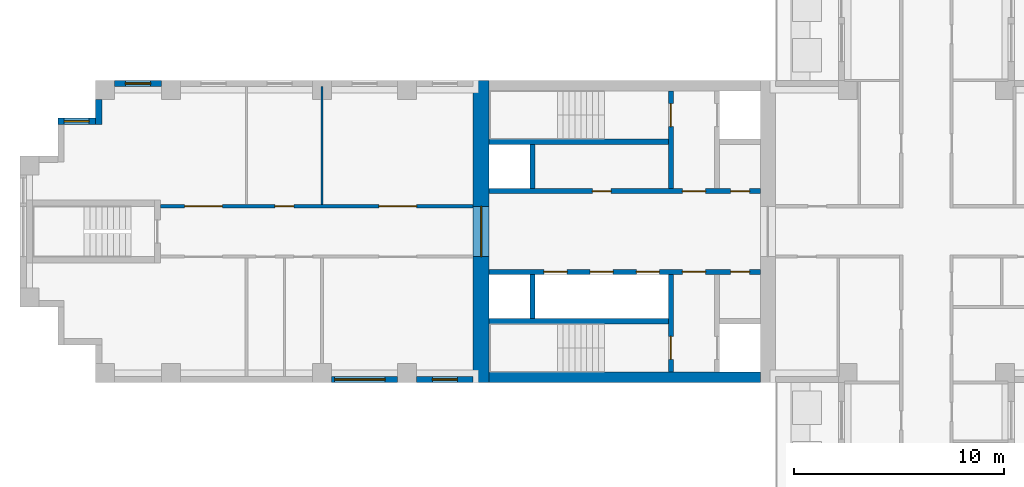
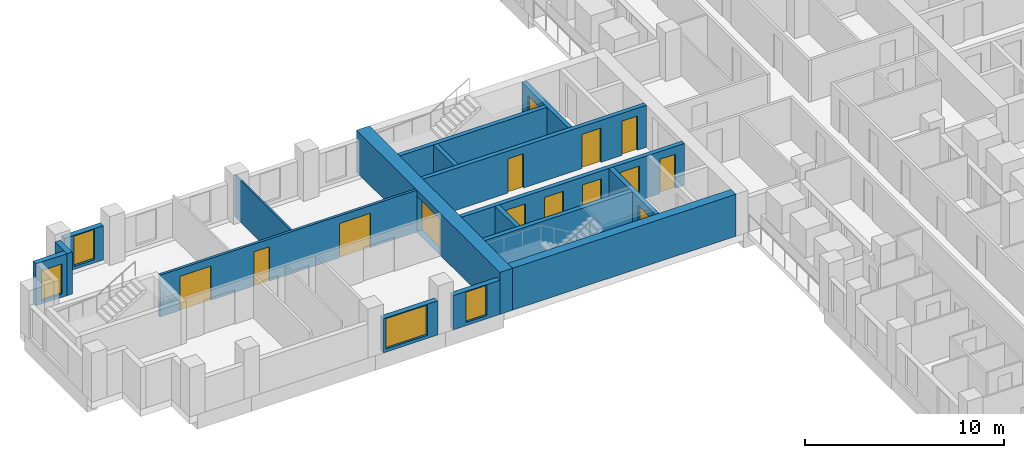
# One storey, part 6 of 15: 17 walls, 14 doors, 4 windows, 18 openings.
"""IFC4 building model written with IfcOpenShell, lengths in metres."""

from ifc_helpers import new_model, si_unit, direction, frame, frame_2d, origin, place, context, subcontext, project, spatial, rectangle, extrude, material, layer, layer_set, type_object, element, fill, save


model = new_model("IFC4")

# Units and contexts
model_context = context("Model", 3, precision=1e-05, world=origin(), true_north=direction((0.0, 1.0)))
body_context = subcontext(model_context, "Body", "Model", "MODEL_VIEW")
ifc_project = project(units=[si_unit("LENGTHUNIT", "METRE"), si_unit("AREAUNIT", "SQUARE_METRE"), si_unit("VOLUMEUNIT", "CUBIC_METRE"), si_unit("PLANEANGLEUNIT", "RADIAN"), si_unit("MASSUNIT", "GRAM", prefix="KILO")], contexts=[model_context])

# Site, building, storey
site_placement = place(None, origin())
site = spatial("IfcSite", under=ifc_project, at=site_placement, CompositionType="ELEMENT")
building_placement = place(site_placement, origin())
building = spatial("IfcBuilding", under=site, at=building_placement, Name="Fustian Cross Tower", CompositionType="ELEMENT")
storey_placement = place(building_placement, frame((0.0, 0.0, 14.699951171875)))
storey = spatial("IfcBuildingStorey", under=building, at=storey_placement, Name="L03", CompositionType="ELEMENT", Elevation=14.699951171875)

# Wall, openings, doors
ifc_material_1 = material(Name="Plasterboard on steel stud", Category="steel")
ifc_layer_1 = layer(ifc_material_1, 0.14990234375)
ifc_layer_set_1 = layer_set([ifc_layer_1], Name="Plasterboard on steel stud")
wall_type_1 = type_object("IfcWallType", Name="COMPARTMENT WALL 150 EI 60", PredefinedType="PARTITIONING", material=ifc_layer_set_1)
wall_1_placement = place(storey_placement, frame((-36.5, 1.199951171875, 0.0), z_axis=(0.0, 0.0, 1.0), x_axis=(1.0, 0.0, 0.0)))
wall_1 = element("IfcWall", 1, at=wall_1_placement, inside=storey, type_object=wall_type_1, Name="Partition 2", PredefinedType="PARTITIONING", context=body_context, shape_type="SweptSolid", body=[
    extrude(rectangle(XDim=14.89990234375, YDim=0.14990234375, at=frame_2d((7.449951171875, 0.0))), origin(), (0.0, 0.0, 1.0), 2.574951171875),
])
opening_1_placement = place(wall_1_placement, frame((10.39990234375, 0.0, 0.0)))
opening_1 = element("IfcOpeningElement", 2, at=opening_1_placement, cuts=wall_1, Name="Opening D04052", PredefinedType="OPENING", context=body_context, shape_type="SweptSolid", body=[
    extrude(rectangle(XDim=1.800048828125, YDim=2.10009765625, at=frame_2d((0.89990234375, 1.050048828125))), frame((0.0, 0.0849609375, 0.0), z_axis=(0.0, -1.0, 0.0), x_axis=(1.0, 0.0, 0.0)), (0.0, 0.0, 1.0), 0.169921875),
])
opening_2_placement = place(wall_1_placement, frame((5.449951171875, 0.0, 0.0)))
opening_2 = element("IfcOpeningElement", 3, at=opening_2_placement, cuts=wall_1, Name="Opening D04053", PredefinedType="OPENING", context=body_context, shape_type="SweptSolid", body=[
    extrude(rectangle(XDim=0.89990234375, YDim=2.10009765625, at=frame_2d((0.449951171875, 1.050048828125))), frame((0.0, 0.0849609375, 0.0), z_axis=(0.0, -1.0, 0.0), x_axis=(1.0, 0.0, 0.0)), (0.0, 0.0, 1.0), 0.169921875),
])
opening_3_placement = place(wall_1_placement, frame((1.14990234375, 0.0, 0.0)))
opening_3 = element("IfcOpeningElement", 4, at=opening_3_placement, cuts=wall_1, Name="Opening D04054", PredefinedType="OPENING", context=body_context, shape_type="SweptSolid", body=[
    extrude(rectangle(XDim=1.800048828125, YDim=2.10009765625, at=frame_2d((0.89990234375, 1.050048828125))), frame((0.0, 0.0849609375, 0.0), z_axis=(0.0, -1.0, 0.0), x_axis=(1.0, 0.0, 0.0)), (0.0, 0.0, 1.0), 0.169921875),
])
ifc_material_2 = material(Name="Timber fire door set", Category="wood")
door_type_1 = type_object("IfcDoorType", Name="FIRE DOUBLE DOOR 1800 FD30S", OperationType="DOUBLE_DOOR_DOUBLE_SWING", PredefinedType="DOOR", material=ifc_material_2)
door_1_placement = place(opening_1_placement, frame((1.800048828125, 0.0, 0.0), z_axis=(0.0, 0.0, 1.0), x_axis=(-1.0, 0.0, 0.0)))
door_1 = element("IfcDoor", 5, at=door_1_placement, inside=storey, type_object=door_type_1, Name="Door D04052", OperationType="DOUBLE_DOOR_DOUBLE_SWING", OverallHeight=2.10009765625, OverallWidth=1.800048828125, PredefinedType="DOOR", context=body_context, shape_type="SweptSolid", body=[
    extrude(rectangle(XDim=1.800048828125, YDim=2.10009765625, at=frame_2d((0.89990234375, 1.050048828125))), frame((0.0, 0.02490234375, 0.0), z_axis=(0.0, -1.0, 0.0), x_axis=(1.0, 0.0, 0.0)), (0.0, 0.0, 1.0), 0.050048828125),
])
fill(opening_1, door_1)
door_2_placement = place(opening_3_placement, frame((1.800048828125, 0.0, 0.0), z_axis=(0.0, 0.0, 1.0), x_axis=(-1.0, 0.0, 0.0)))
door_2 = element("IfcDoor", 6, at=door_2_placement, inside=storey, type_object=door_type_1, Name="Door D04054", OperationType="DOUBLE_DOOR_DOUBLE_SWING", OverallHeight=2.10009765625, OverallWidth=1.800048828125, PredefinedType="DOOR", context=body_context, shape_type="SweptSolid", body=[
    extrude(rectangle(XDim=1.800048828125, YDim=2.10009765625, at=frame_2d((0.89990234375, 1.050048828125))), frame((0.0, 0.02490234375, 0.0), z_axis=(0.0, -1.0, 0.0), x_axis=(1.0, 0.0, 0.0)), (0.0, 0.0, 1.0), 0.050048828125),
])
fill(opening_3, door_2)
ifc_material_3 = material(Name="Timber fire door set", Category="wood")
door_type_2 = type_object("IfcDoorType", Name="FIRE SWING DOOR 900 FD30S", OperationType="SINGLE_SWING_LEFT", PredefinedType="DOOR", material=ifc_material_3)
door_3_placement = place(opening_2_placement, origin())
door_3 = element("IfcDoor", 7, at=door_3_placement, inside=storey, type_object=door_type_2, Name="Door D04053", OperationType="SINGLE_SWING_LEFT", OverallHeight=2.10009765625, OverallWidth=0.89990234375, PredefinedType="DOOR", context=body_context, shape_type="SweptSolid", body=[
    extrude(rectangle(XDim=0.89990234375, YDim=2.10009765625, at=frame_2d((0.449951171875, 1.050048828125))), frame((0.0, 0.02490234375, 0.0), z_axis=(0.0, -1.0, 0.0), x_axis=(1.0, 0.0, 0.0)), (0.0, 0.0, 1.0), 0.050048828125),
])
fill(opening_2, door_3)

# Wall, opening, door
ifc_material_4 = material(Name="Concrete C80/95", Category="concrete")
ifc_layer_2 = layer(ifc_material_4, 0.75)
ifc_layer_set_2 = layer_set([ifc_layer_2], Name="Concrete C80/95")
wall_type_2 = type_object("IfcWallType", Name="CORE END WALL 750 C80/95", PredefinedType="SHEAR", material=ifc_layer_set_2)
wall_2_placement = place(storey_placement, frame((-21.22509765625, -7.199951171875, 0.0), z_axis=(0.0, 0.0, 1.0), x_axis=(0.0, 1.0, 0.0)))
wall_2 = element("IfcWall", 8, at=wall_2_placement, inside=storey, type_object=wall_type_2, Name="Core end wall", PredefinedType="SHEAR", context=body_context, shape_type="SweptSolid", body=[
    extrude(rectangle(XDim=14.39990234375, YDim=0.75, at=frame_2d((7.199951171875, 0.0))), origin(), (0.0, 0.0, 1.0), 2.574951171875),
])
opening_4_placement = place(wall_2_placement, frame((6.0, 0.0, 0.0)))
opening_4 = element("IfcOpeningElement", 9, at=opening_4_placement, cuts=wall_2, Name="Opening CD-04-27", PredefinedType="OPENING", context=body_context, shape_type="SweptSolid", body=[
    extrude(rectangle(XDim=2.39990234375, YDim=2.199951171875, at=frame_2d((1.199951171875, 1.10009765625))), frame((0.0, 0.385009765625, 0.0), z_axis=(0.0, -1.0, 0.0), x_axis=(1.0, 0.0, 0.0)), (0.0, 0.0, 1.0), 0.77001953125),
])
ifc_material_5 = material(Name="Steel", Category="steel")
door_type_3 = type_object("IfcDoorType", Name="FIRE DOOR FD30S DOUBLE 2400X2200", OperationType="DOUBLE_DOOR_DOUBLE_SWING", PredefinedType="DOOR", material=ifc_material_5)
door_4_placement = place(opening_4_placement, frame((2.39990234375, 0.0, 0.0), z_axis=(0.0, 0.0, 1.0), x_axis=(-1.0, 0.0, 0.0)))
door_4 = element("IfcDoor", 10, at=door_4_placement, inside=storey, type_object=door_type_3, Name="Core door CD-04-27", OperationType="DOUBLE_DOOR_DOUBLE_SWING", OverallHeight=2.199951171875, OverallWidth=2.39990234375, PredefinedType="DOOR", context=body_context, shape_type="SweptSolid", body=[
    extrude(rectangle(XDim=2.39990234375, YDim=2.199951171875, at=frame_2d((1.199951171875, 1.10009765625))), frame((0.0, 0.02490234375, 0.0), z_axis=(0.0, -1.0, 0.0), x_axis=(1.0, 0.0, 0.0)), (0.0, 0.0, 1.0), 0.050048828125),
])
fill(opening_4, door_4)

# Wall
ifc_material_6 = material(Name="Concrete C80/95", Category="concrete")
ifc_layer_3 = layer(ifc_material_6, 0.5)
ifc_layer_set_3 = layer_set([ifc_layer_3], Name="Concrete C80/95")
wall_type_3 = type_object("IfcWallType", Name="CORE FACADE WALL 500 C80/95", PredefinedType="SHEAR", material=ifc_layer_set_3)
wall_3_placement = place(storey_placement, frame((-7.89990234375, -6.949951171875, 0.0), z_axis=(0.0, 0.0, 1.0), x_axis=(-1.0, 0.0, 0.0)))
element("IfcWall", 11, at=wall_3_placement, inside=storey, type_object=wall_type_3, Name="Core facade wall", PredefinedType="SHEAR", context=body_context, shape_type="SweptSolid", body=[
    extrude(rectangle(XDim=12.9501953125, YDim=0.5, at=frame_2d((6.47509765625, 0.0))), origin(), (0.0, 0.0, 1.0), 2.574951171875),
])

# Wall, openings, doors
ifc_material_7 = material(Name="Concrete C50/60", Category="concrete")
ifc_layer_4 = layer(ifc_material_7, 0.25)
ifc_layer_set_4 = layer_set([ifc_layer_4], Name="Concrete C50/60")
wall_type_4 = type_object("IfcWallType", Name="CORE LOBBY WALL 250 C50/60", PredefinedType="SHEAR", material=ifc_layer_set_4)
wall_4_placement = place(storey_placement, frame((-7.89990234375, 1.925048828125, 0.0), z_axis=(0.0, 0.0, 1.0), x_axis=(-1.0, 0.0, 0.0)))
wall_4 = element("IfcWall", 12, at=wall_4_placement, inside=storey, type_object=wall_type_4, Name="Core lobby wall", PredefinedType="SHEAR", context=body_context, shape_type="SweptSolid", body=[
    extrude(rectangle(XDim=12.9501953125, YDim=0.25, at=frame_2d((6.47509765625, 0.0))), origin(), (0.0, 0.0, 1.0), 2.574951171875),
])
opening_5_placement = place(wall_4_placement, frame((0.52490234375, 0.0, 0.0)))
opening_5 = element("IfcOpeningElement", 13, at=opening_5_placement, cuts=wall_4, Name="Opening CD-04-22", PredefinedType="OPENING", context=body_context, shape_type="SweptSolid", body=[
    extrude(rectangle(XDim=0.89990234375, YDim=2.10009765625, at=frame_2d((0.449951171875, 1.050048828125))), frame((0.0, 0.135009765625, 0.0), z_axis=(0.0, -1.0, 0.0), x_axis=(1.0, 0.0, 0.0)), (0.0, 0.0, 1.0), 0.27001953125),
])
opening_6_placement = place(wall_4_placement, frame((2.625, 0.0, 0.0)))
opening_6 = element("IfcOpeningElement", 14, at=opening_6_placement, cuts=wall_4, Name="Opening CD-04-24", PredefinedType="OPENING", context=body_context, shape_type="SweptSolid", body=[
    extrude(rectangle(XDim=1.10009765625, YDim=2.10009765625, at=frame_2d((0.550048828125, 1.050048828125))), frame((0.0, 0.135009765625, 0.0), z_axis=(0.0, -1.0, 0.0), x_axis=(1.0, 0.0, 0.0)), (0.0, 0.0, 1.0), 0.27001953125),
])
opening_7_placement = place(wall_4_placement, frame((7.125, 0.0, 0.0)))
opening_7 = element("IfcOpeningElement", 15, at=opening_7_placement, cuts=wall_4, Name="Opening CD-04-28", PredefinedType="OPENING", context=body_context, shape_type="SweptSolid", body=[
    extrude(rectangle(XDim=0.89990234375, YDim=2.10009765625, at=frame_2d((0.449951171875, 1.050048828125))), frame((0.0, 0.135009765625, 0.0), z_axis=(0.0, -1.0, 0.0), x_axis=(1.0, 0.0, 0.0)), (0.0, 0.0, 1.0), 0.27001953125),
])
ifc_material_8 = material(Name="Steel", Category="steel")
door_type_4 = type_object("IfcDoorType", Name="FIRE DOOR FD30S 900X2100", OperationType="SINGLE_SWING_LEFT", PredefinedType="DOOR", material=ifc_material_8)
door_5_placement = place(opening_7_placement, frame((0.89990234375, 0.0, 0.0), z_axis=(0.0, 0.0, 1.0), x_axis=(-1.0, 0.0, 0.0)))
door_5 = element("IfcDoor", 16, at=door_5_placement, inside=storey, type_object=door_type_4, Name="Core door CD-04-28", OperationType="SINGLE_SWING_RIGHT", OverallHeight=2.10009765625, OverallWidth=0.89990234375, PredefinedType="DOOR", context=body_context, shape_type="SweptSolid", body=[
    extrude(rectangle(XDim=0.89990234375, YDim=2.10009765625, at=frame_2d((0.449951171875, 1.050048828125))), frame((0.0, 0.02490234375, 0.0), z_axis=(0.0, -1.0, 0.0), x_axis=(1.0, 0.0, 0.0)), (0.0, 0.0, 1.0), 0.050048828125),
])
fill(opening_7, door_5)
ifc_material_9 = material(Name="Steel", Category="steel")
door_type_5 = type_object("IfcDoorType", Name="FIRE DOOR FD60S 1100X2100", OperationType="SINGLE_SWING_LEFT", PredefinedType="DOOR", material=ifc_material_9)
door_6_placement = place(opening_6_placement, frame((1.10009765625, 0.0, 0.0), z_axis=(0.0, 0.0, 1.0), x_axis=(-1.0, 0.0, 0.0)))
door_6 = element("IfcDoor", 17, at=door_6_placement, inside=storey, type_object=door_type_5, Name="Core door CD-04-24", OperationType="SINGLE_SWING_RIGHT", OverallHeight=2.10009765625, OverallWidth=1.10009765625, PredefinedType="DOOR", context=body_context, shape_type="SweptSolid", body=[
    extrude(rectangle(XDim=1.10009765625, YDim=2.10009765625, at=frame_2d((0.550048828125, 1.050048828125))), frame((0.0, 0.02490234375, 0.0), z_axis=(0.0, -1.0, 0.0), x_axis=(1.0, 0.0, 0.0)), (0.0, 0.0, 1.0), 0.050048828125),
])
fill(opening_6, door_6)
ifc_material_10 = material(Name="Steel", Category="steel")
door_type_6 = type_object("IfcDoorType", Name="FIRE DOOR FD60S 900X2100", OperationType="SINGLE_SWING_LEFT", PredefinedType="DOOR", material=ifc_material_10)
door_7_placement = place(opening_5_placement, frame((0.89990234375, 0.0, 0.0), z_axis=(0.0, 0.0, 1.0), x_axis=(-1.0, 0.0, 0.0)))
door_7 = element("IfcDoor", 18, at=door_7_placement, inside=storey, type_object=door_type_6, Name="Core door CD-04-22", OperationType="SINGLE_SWING_RIGHT", OverallHeight=2.10009765625, OverallWidth=0.89990234375, PredefinedType="DOOR", context=body_context, shape_type="SweptSolid", body=[
    extrude(rectangle(XDim=0.89990234375, YDim=2.10009765625, at=frame_2d((0.449951171875, 1.050048828125))), frame((0.0, 0.02490234375, 0.0), z_axis=(0.0, -1.0, 0.0), x_axis=(1.0, 0.0, 0.0)), (0.0, 0.0, 1.0), 0.050048828125),
])
fill(opening_5, door_7)

wall_5_placement = place(storey_placement, frame((-7.89990234375, -1.925048828125, 0.0), z_axis=(0.0, 0.0, 1.0), x_axis=(-1.0, 0.0, 0.0)))
wall_5 = element("IfcWall", 19, at=wall_5_placement, inside=storey, type_object=wall_type_4, Name="Core lobby wall", PredefinedType="SHEAR", context=body_context, shape_type="SweptSolid", body=[
    extrude(rectangle(XDim=12.9501953125, YDim=0.25, at=frame_2d((6.47509765625, 0.0))), origin(), (0.0, 0.0, 1.0), 2.574951171875),
])
opening_8_placement = place(wall_5_placement, frame((4.824951171875, 0.0, 0.0)))
opening_8 = element("IfcOpeningElement", 20, at=opening_8_placement, cuts=wall_5, Name="Opening LD", PredefinedType="OPENING", context=body_context, shape_type="SweptSolid", body=[
    extrude(rectangle(XDim=1.10009765625, YDim=2.10009765625, at=frame_2d((0.550048828125, 1.050048828125))), frame((0.0, 0.135009765625, 0.0), z_axis=(0.0, -1.0, 0.0), x_axis=(1.0, 0.0, 0.0)), (0.0, 0.0, 1.0), 0.27001953125),
])
opening_9_placement = place(wall_5_placement, frame((7.02490234375, 0.0, 0.0)))
opening_9 = element("IfcOpeningElement", 21, at=opening_9_placement, cuts=wall_5, Name="Opening LD", PredefinedType="OPENING", context=body_context, shape_type="SweptSolid", body=[
    extrude(rectangle(XDim=1.10009765625, YDim=2.10009765625, at=frame_2d((0.550048828125, 1.050048828125))), frame((0.0, 0.135009765625, 0.0), z_axis=(0.0, -1.0, 0.0), x_axis=(1.0, 0.0, 0.0)), (0.0, 0.0, 1.0), 0.27001953125),
])
opening_10_placement = place(wall_5_placement, frame((9.22509765625, 0.0, 0.0)))
opening_10 = element("IfcOpeningElement", 22, at=opening_10_placement, cuts=wall_5, Name="Opening LD", PredefinedType="OPENING", context=body_context, shape_type="SweptSolid", body=[
    extrude(rectangle(XDim=1.10009765625, YDim=2.10009765625, at=frame_2d((0.550048828125, 1.050048828125))), frame((0.0, 0.135009765625, 0.0), z_axis=(0.0, -1.0, 0.0), x_axis=(1.0, 0.0, 0.0)), (0.0, 0.0, 1.0), 0.27001953125),
])
opening_11_placement = place(wall_5_placement, frame((0.52490234375, 0.0, 0.0)))
opening_11 = element("IfcOpeningElement", 23, at=opening_11_placement, cuts=wall_5, Name="Opening CD-04-23", PredefinedType="OPENING", context=body_context, shape_type="SweptSolid", body=[
    extrude(rectangle(XDim=0.89990234375, YDim=2.10009765625, at=frame_2d((0.449951171875, 1.050048828125))), frame((0.0, 0.135009765625, 0.0), z_axis=(0.0, -1.0, 0.0), x_axis=(1.0, 0.0, 0.0)), (0.0, 0.0, 1.0), 0.27001953125),
])
opening_12_placement = place(wall_5_placement, frame((2.625, 0.0, 0.0)))
opening_12 = element("IfcOpeningElement", 24, at=opening_12_placement, cuts=wall_5, Name="Opening CD-04-25", PredefinedType="OPENING", context=body_context, shape_type="SweptSolid", body=[
    extrude(rectangle(XDim=1.10009765625, YDim=2.10009765625, at=frame_2d((0.550048828125, 1.050048828125))), frame((0.0, 0.135009765625, 0.0), z_axis=(0.0, -1.0, 0.0), x_axis=(1.0, 0.0, 0.0)), (0.0, 0.0, 1.0), 0.27001953125),
])
ifc_material_11 = material(Name="Steel", Category="steel")
door_type_7 = type_object("IfcDoorType", Name="FIRE DOOR FD30S 1100X2100", OperationType="SINGLE_SWING_LEFT", PredefinedType="DOOR", material=ifc_material_11)
door_8_placement = place(opening_12_placement, frame((1.10009765625, 0.0, 0.0), z_axis=(0.0, 0.0, 1.0), x_axis=(-1.0, 0.0, 0.0)))
door_8 = element("IfcDoor", 25, at=door_8_placement, inside=storey, type_object=door_type_7, Name="Core door CD-04-25", OperationType="SINGLE_SWING_RIGHT", OverallHeight=2.10009765625, OverallWidth=1.10009765625, PredefinedType="DOOR", context=body_context, shape_type="SweptSolid", body=[
    extrude(rectangle(XDim=1.10009765625, YDim=2.10009765625, at=frame_2d((0.550048828125, 1.050048828125))), frame((0.0, 0.02490234375, 0.0), z_axis=(0.0, -1.0, 0.0), x_axis=(1.0, 0.0, 0.0)), (0.0, 0.0, 1.0), 0.050048828125),
])
fill(opening_12, door_8)
door_9_placement = place(opening_11_placement, origin())
door_9 = element("IfcDoor", 26, at=door_9_placement, inside=storey, type_object=door_type_4, Name="Core door CD-04-23", OperationType="SINGLE_SWING_LEFT", OverallHeight=2.10009765625, OverallWidth=0.89990234375, PredefinedType="DOOR", context=body_context, shape_type="SweptSolid", body=[
    extrude(rectangle(XDim=0.89990234375, YDim=2.10009765625, at=frame_2d((0.449951171875, 1.050048828125))), frame((0.0, 0.02490234375, 0.0), z_axis=(0.0, -1.0, 0.0), x_axis=(1.0, 0.0, 0.0)), (0.0, 0.0, 1.0), 0.050048828125),
])
fill(opening_11, door_9)
ifc_material_12 = material(Name="Stainless steel", Category="steel")
door_type_8 = type_object("IfcDoorType", Name="LIFT LANDING DOOR 1100X2100", OperationType="SLIDING_TO_LEFT", PredefinedType="DOOR", material=ifc_material_12)
door_10_placement = place(opening_8_placement, origin())
door_10 = element("IfcDoor", 27, at=door_10_placement, inside=storey, type_object=door_type_8, Name="Landing door LR1W", OperationType="SLIDING_TO_LEFT", OverallHeight=2.10009765625, OverallWidth=1.10009765625, PredefinedType="DOOR", context=body_context, shape_type="SweptSolid", body=[
    extrude(rectangle(XDim=1.10009765625, YDim=2.10009765625, at=frame_2d((0.550048828125, 1.050048828125))), frame((0.0, 0.02490234375, 0.0), z_axis=(0.0, -1.0, 0.0), x_axis=(1.0, 0.0, 0.0)), (0.0, 0.0, 1.0), 0.050048828125),
])
fill(opening_8, door_10)
door_11_placement = place(opening_9_placement, origin())
door_11 = element("IfcDoor", 28, at=door_11_placement, inside=storey, type_object=door_type_8, Name="Landing door LR2W", OperationType="SLIDING_TO_LEFT", OverallHeight=2.10009765625, OverallWidth=1.10009765625, PredefinedType="DOOR", context=body_context, shape_type="SweptSolid", body=[
    extrude(rectangle(XDim=1.10009765625, YDim=2.10009765625, at=frame_2d((0.550048828125, 1.050048828125))), frame((0.0, 0.02490234375, 0.0), z_axis=(0.0, -1.0, 0.0), x_axis=(1.0, 0.0, 0.0)), (0.0, 0.0, 1.0), 0.050048828125),
])
fill(opening_9, door_11)
door_12_placement = place(opening_10_placement, origin())
door_12 = element("IfcDoor", 29, at=door_12_placement, inside=storey, type_object=door_type_8, Name="Landing door LR3W", OperationType="SLIDING_TO_LEFT", OverallHeight=2.10009765625, OverallWidth=1.10009765625, PredefinedType="DOOR", context=body_context, shape_type="SweptSolid", body=[
    extrude(rectangle(XDim=1.10009765625, YDim=2.10009765625, at=frame_2d((0.550048828125, 1.050048828125))), frame((0.0, 0.02490234375, 0.0), z_axis=(0.0, -1.0, 0.0), x_axis=(1.0, 0.0, 0.0)), (0.0, 0.0, 1.0), 0.050048828125),
])
fill(opening_10, door_12)

# Wall
ifc_material_13 = material(Name="Concrete C50/60", Category="concrete")
ifc_layer_5 = layer(ifc_material_13, 0.25)
ifc_layer_set_5 = layer_set([ifc_layer_5], Name="Concrete C50/60")
wall_type_5 = type_object("IfcWallType", Name="CORE SHAFT WALL 250 C50/60", PredefinedType="SHEAR", material=ifc_layer_set_5)
wall_6_placement = place(storey_placement, frame((-12.300048828125, 4.27490234375, 0.0), z_axis=(0.0, 0.0, 1.0), x_axis=(-1.0, 0.0, 0.0)))
element("IfcWall", 30, at=wall_6_placement, inside=storey, type_object=wall_type_5, Name="Core shaft wall", PredefinedType="SHEAR", context=body_context, shape_type="SweptSolid", body=[
    extrude(rectangle(XDim=8.550048828125, YDim=0.25, at=frame_2d((4.27490234375, 0.0))), origin(), (0.0, 0.0, 1.0), 2.574951171875),
])

# Wall, opening, door
wall_7_placement = place(storey_placement, frame((-12.175048828125, 2.050048828125, 0.0), z_axis=(0.0, 0.0, 1.0), x_axis=(0.0, 1.0, 0.0)))
wall_7 = element("IfcWall", 31, at=wall_7_placement, inside=storey, type_object=wall_type_5, Name="Core shaft wall", PredefinedType="SHEAR", context=body_context, shape_type="SweptSolid", body=[
    extrude(rectangle(XDim=4.64990234375, YDim=0.25, at=frame_2d((2.324951171875, 0.0))), origin(), (0.0, 0.0, 1.0), 2.574951171875),
])
opening_13_placement = place(wall_7_placement, frame((2.949951171875, 0.0, 0.0)))
opening_13 = element("IfcOpeningElement", 32, at=opening_13_placement, cuts=wall_7, Name="Opening CD-04-20", PredefinedType="OPENING", context=body_context, shape_type="SweptSolid", body=[
    extrude(rectangle(XDim=1.10009765625, YDim=2.10009765625, at=frame_2d((0.550048828125, 1.050048828125))), frame((0.0, 0.135009765625, 0.0), z_axis=(0.0, -1.0, 0.0), x_axis=(1.0, 0.0, 0.0)), (0.0, 0.0, 1.0), 0.27001953125),
])
door_13_placement = place(opening_13_placement, origin())
door_13 = element("IfcDoor", 33, at=door_13_placement, inside=storey, type_object=door_type_5, Name="Core door CD-04-20", OperationType="SINGLE_SWING_LEFT", OverallHeight=2.10009765625, OverallWidth=1.10009765625, PredefinedType="DOOR", context=body_context, shape_type="SweptSolid", body=[
    extrude(rectangle(XDim=1.10009765625, YDim=2.10009765625, at=frame_2d((0.550048828125, 1.050048828125))), frame((0.0, 0.02490234375, 0.0), z_axis=(0.0, -1.0, 0.0), x_axis=(1.0, 0.0, 0.0)), (0.0, 0.0, 1.0), 0.050048828125),
])
fill(opening_13, door_13)

# Wall
wall_8_placement = place(storey_placement, frame((-12.300048828125, -4.27490234375, 0.0), z_axis=(0.0, 0.0, 1.0), x_axis=(-1.0, 0.0, 0.0)))
element("IfcWall", 34, at=wall_8_placement, inside=storey, type_object=wall_type_5, Name="Core shaft wall", PredefinedType="SHEAR", context=body_context, shape_type="SweptSolid", body=[
    extrude(rectangle(XDim=8.550048828125, YDim=0.25, at=frame_2d((4.27490234375, 0.0))), origin(), (0.0, 0.0, 1.0), 2.574951171875),
])

# Wall, opening, door
wall_9_placement = place(storey_placement, frame((-12.175048828125, -2.050048828125, 0.0), z_axis=(0.0, 0.0, 1.0), x_axis=(0.0, -1.0, 0.0)))
wall_9 = element("IfcWall", 35, at=wall_9_placement, inside=storey, type_object=wall_type_5, Name="Core shaft wall", PredefinedType="SHEAR", context=body_context, shape_type="SweptSolid", body=[
    extrude(rectangle(XDim=4.64990234375, YDim=0.25, at=frame_2d((2.324951171875, 0.0))), origin(), (0.0, 0.0, 1.0), 2.574951171875),
])
opening_14_placement = place(wall_9_placement, frame((2.949951171875, 0.0, 0.0)))
opening_14 = element("IfcOpeningElement", 36, at=opening_14_placement, cuts=wall_9, Name="Opening CD-04-21", PredefinedType="OPENING", context=body_context, shape_type="SweptSolid", body=[
    extrude(rectangle(XDim=1.10009765625, YDim=2.10009765625, at=frame_2d((0.550048828125, 1.050048828125))), frame((0.0, 0.135009765625, 0.0), z_axis=(0.0, -1.0, 0.0), x_axis=(1.0, 0.0, 0.0)), (0.0, 0.0, 1.0), 0.27001953125),
])
door_14_placement = place(opening_14_placement, frame((1.10009765625, 0.0, 0.0), z_axis=(0.0, 0.0, 1.0), x_axis=(-1.0, 0.0, 0.0)))
door_14 = element("IfcDoor", 37, at=door_14_placement, inside=storey, type_object=door_type_5, Name="Core door CD-04-21", OperationType="SINGLE_SWING_RIGHT", OverallHeight=2.10009765625, OverallWidth=1.10009765625, PredefinedType="DOOR", context=body_context, shape_type="SweptSolid", body=[
    extrude(rectangle(XDim=1.10009765625, YDim=2.10009765625, at=frame_2d((0.550048828125, 1.050048828125))), frame((0.0, 0.02490234375, 0.0), z_axis=(0.0, -1.0, 0.0), x_axis=(1.0, 0.0, 0.0)), (0.0, 0.0, 1.0), 0.050048828125),
])
fill(opening_14, door_14)

# Walls
ifc_material_14 = material(Name="Plasterboard on steel stud", Category="steel")
ifc_layer_6 = layer(ifc_material_14, 0.10009765625)
ifc_layer_set_6 = layer_set([ifc_layer_6], Name="Plasterboard on steel stud")
wall_type_6 = type_object("IfcWallType", Name="PARTITION 100 STUD", PredefinedType="PARTITIONING", material=ifc_layer_set_6)
wall_10_placement = place(storey_placement, frame((-28.800048828125, 1.27490234375, 0.0), z_axis=(0.0, 0.0, 1.0), x_axis=(0.0, 1.0, 0.0)))
element("IfcWall", 38, at=wall_10_placement, inside=storey, type_object=wall_type_6, Name="Partition 7", PredefinedType="PARTITIONING", context=body_context, shape_type="SweptSolid", body=[
    extrude(rectangle(XDim=5.625, YDim=0.10009765625, at=frame_2d((2.8125, 0.0))), origin(), (0.0, 0.0, 1.0), 2.574951171875),
])
ifc_material_15 = material(Name="Concrete C40/50", Category="concrete")
ifc_layer_7 = layer(ifc_material_15, 0.25)
ifc_layer_set_7 = layer_set([ifc_layer_7], Name="Concrete C40/50")
wall_type_7 = type_object("IfcWallType", Name="SHAFT PARTITION WALL 250 C40/50", PredefinedType="PARTITIONING", material=ifc_layer_set_7)
for number, where, z_axis, x_axis, name in (
    (39, (-18.77490234375, 2.050048828125, 0.0), (0.0, 0.0, 1.0), (0.0, 1.0, 0.0), "Core shaft wall"),
    (40, (-18.77490234375, -2.050048828125, 0.0), (0.0, 0.0, 1.0), (0.0, -1.0, 0.0), "Core shaft wall"),
):
    element("IfcWall", number, at=place(storey_placement, frame(where, z_axis=z_axis, x_axis=x_axis)), inside=storey, type_object=wall_type_7, Name=name, PredefinedType="PARTITIONING", context=body_context, shape_type="SweptSolid", body=[
        extrude(rectangle(XDim=2.099853515625, YDim=0.25, at=frame_2d((1.0498046875, 0.0))), origin(), (0.0, 0.0, 1.0), 2.574951171875),
    ])

# Wall, opening, window
ifc_material_16 = material(Name="Dark aluminium cladding on insulated backing wall", Category="aluminium")
ifc_layer_8 = layer(ifc_material_16, 0.300048828125)
ifc_layer_set_8 = layer_set([ifc_layer_8], Name="Dark aluminium cladding on insulated backing wall")
wall_type_8 = type_object("IfcWallType", Name="XW1 EXTERNAL WALL 300", PredefinedType="SOLIDWALL", material=ifc_layer_set_8)
wall_11_placement = place(storey_placement, frame((-36.449951171875, 7.050048828125, 0.0), z_axis=(0.0, 0.0, 1.0), x_axis=(-1.0, 0.0, 0.0)))
wall_11 = element("IfcWall", 41, at=wall_11_placement, inside=storey, type_object=wall_type_8, Name="External wall", PredefinedType="SOLIDWALL", context=body_context, shape_type="SweptSolid", body=[
    extrude(rectangle(XDim=2.25, YDim=0.300048828125, at=frame_2d((1.125, 0.0))), origin(), (0.0, 0.0, 1.0), 2.10009765625),
])
opening_15_placement = place(wall_11_placement, frame((0.52490234375, 0.0, 0.199951171875)))
opening_15 = element("IfcOpeningElement", 42, at=opening_15_placement, cuts=wall_11, Name="Opening WN3", PredefinedType="OPENING", context=body_context, shape_type="SweptSolid", body=[
    extrude(rectangle(XDim=1.199951171875, YDim=1.85009765625, at=frame_2d((0.60009765625, 0.925048828125))), frame((0.0, 0.159912109375, 0.0), z_axis=(0.0, -1.0, 0.0), x_axis=(1.0, 0.0, 0.0)), (0.0, 0.0, 1.0), 0.320068359375),
])
ifc_material_17 = material(Name="Dark anodised aluminium and double glazing", Category="aluminium")
window_type_1 = type_object("IfcWindowType", Name="WN3 WINDOW 1200X1850", PartitioningType="SINGLE_PANEL", PredefinedType="WINDOW", material=ifc_material_17)
window_1_placement = place(opening_15_placement, origin())
window_1 = element("IfcWindow", 43, at=window_1_placement, inside=storey, type_object=window_type_1, Name="Window", OverallHeight=1.85009765625, OverallWidth=1.199951171875, PartitioningType="SINGLE_PANEL", PredefinedType="WINDOW", context=body_context, shape_type="SweptSolid", body=[
    extrude(rectangle(XDim=1.199951171875, YDim=1.85009765625, at=frame_2d((0.60009765625, 0.925048828125))), frame((0.0, 0.030029296875, 0.0), z_axis=(0.0, -1.0, 0.0), x_axis=(1.0, 0.0, 0.0)), (0.0, 0.0, 1.0), 0.06005859375),
])
fill(opening_15, window_1)

# Wall
wall_12_placement = place(storey_placement, frame((-39.449951171875, 6.300048828125, 0.0), z_axis=(0.0, 0.0, 1.0), x_axis=(0.0, -1.0, 0.0)))
element("IfcWall", 44, at=wall_12_placement, inside=storey, type_object=wall_type_8, Name="External wall", PredefinedType="SOLIDWALL", context=body_context, shape_type="SweptSolid", body=[
    extrude(rectangle(XDim=1.199951171875, YDim=0.300048828125, at=frame_2d((0.60009765625, 0.0))), origin(), (0.0, 0.0, 1.0), 2.574951171875),
])

# Wall, opening, window
wall_13_placement = place(storey_placement, frame((-39.60009765625, 5.25, 0.0), z_axis=(0.0, 0.0, 1.0), x_axis=(-1.0, 0.0, 0.0)))
wall_13 = element("IfcWall", 45, at=wall_13_placement, inside=storey, type_object=wall_type_8, Name="External wall", PredefinedType="SOLIDWALL", context=body_context, shape_type="SweptSolid", body=[
    extrude(rectangle(XDim=1.7998046875, YDim=0.300048828125, at=frame_2d((0.89990234375, 0.0))), origin(), (0.0, 0.0, 1.0), 2.574951171875),
])
opening_16_placement = place(wall_13_placement, frame((0.300048828125, 0.0, 0.199951171875)))
opening_16 = element("IfcOpeningElement", 46, at=opening_16_placement, cuts=wall_13, Name="Opening WN3", PredefinedType="OPENING", context=body_context, shape_type="SweptSolid", body=[
    extrude(rectangle(XDim=1.199951171875, YDim=1.85009765625, at=frame_2d((0.60009765625, 0.925048828125))), frame((0.0, 0.159912109375, 0.0), z_axis=(0.0, -1.0, 0.0), x_axis=(1.0, 0.0, 0.0)), (0.0, 0.0, 1.0), 0.320068359375),
])
window_2_placement = place(opening_16_placement, origin())
window_2 = element("IfcWindow", 47, at=window_2_placement, inside=storey, type_object=window_type_1, Name="Window", OverallHeight=1.85009765625, OverallWidth=1.199951171875, PartitioningType="SINGLE_PANEL", PredefinedType="WINDOW", context=body_context, shape_type="SweptSolid", body=[
    extrude(rectangle(XDim=1.199951171875, YDim=1.85009765625, at=frame_2d((0.60009765625, 0.925048828125))), frame((0.0, 0.030029296875, 0.0), z_axis=(0.0, -1.0, 0.0), x_axis=(1.0, 0.0, 0.0)), (0.0, 0.0, 1.0), 0.06005859375),
])
fill(opening_16, window_2)

wall_14_placement = place(storey_placement, frame((-28.35009765625, -7.050048828125, 0.0), z_axis=(0.0, 0.0, 1.0), x_axis=(1.0, 0.0, 0.0)))
wall_14 = element("IfcWall", 48, at=wall_14_placement, inside=storey, type_object=wall_type_8, Name="External wall", PredefinedType="SOLIDWALL", context=body_context, shape_type="SweptSolid", body=[
    extrude(rectangle(XDim=3.150146484375, YDim=0.300048828125, at=frame_2d((1.5751953125, 0.0))), origin(), (0.0, 0.0, 1.0), 2.10009765625),
])
opening_17_placement = place(wall_14_placement, frame((0.14990234375, 0.0, 0.199951171875)))
opening_17 = element("IfcOpeningElement", 49, at=opening_17_placement, cuts=wall_14, Name="Opening WN1", PredefinedType="OPENING", context=body_context, shape_type="SweptSolid", body=[
    extrude(rectangle(XDim=2.39990234375, YDim=1.85009765625, at=frame_2d((1.199951171875, 0.925048828125))), frame((0.0, 0.159912109375, 0.0), z_axis=(0.0, -1.0, 0.0), x_axis=(1.0, 0.0, 0.0)), (0.0, 0.0, 1.0), 0.320068359375),
])
ifc_material_18 = material(Name="Dark anodised aluminium and double glazing", Category="aluminium")
window_type_2 = type_object("IfcWindowType", Name="WN1 WINDOW 2400X1850", PartitioningType="SINGLE_PANEL", PredefinedType="WINDOW", material=ifc_material_18)
window_3_placement = place(opening_17_placement, origin())
window_3 = element("IfcWindow", 50, at=window_3_placement, inside=storey, type_object=window_type_2, Name="Window", OverallHeight=1.85009765625, OverallWidth=2.39990234375, PartitioningType="SINGLE_PANEL", PredefinedType="WINDOW", context=body_context, shape_type="SweptSolid", body=[
    extrude(rectangle(XDim=2.39990234375, YDim=1.85009765625, at=frame_2d((1.199951171875, 0.925048828125))), frame((0.0, 0.030029296875, 0.0), z_axis=(0.0, -1.0, 0.0), x_axis=(1.0, 0.0, 0.0)), (0.0, 0.0, 1.0), 0.06005859375),
])
fill(opening_17, window_3)

wall_15_placement = place(storey_placement, frame((-24.300048828125, -7.050048828125, 0.0), z_axis=(0.0, 0.0, 1.0), x_axis=(1.0, 0.0, 0.0)))
wall_15 = element("IfcWall", 51, at=wall_15_placement, inside=storey, type_object=wall_type_8, Name="External wall", PredefinedType="SOLIDWALL", context=body_context, shape_type="SweptSolid", body=[
    extrude(rectangle(XDim=2.699951171875, YDim=0.300048828125, at=frame_2d((1.35009765625, 0.0))), origin(), (0.0, 0.0, 1.0), 2.10009765625),
])
opening_18_placement = place(wall_15_placement, frame((0.75, 0.0, 0.199951171875)))
opening_18 = element("IfcOpeningElement", 52, at=opening_18_placement, cuts=wall_15, Name="Opening WN3", PredefinedType="OPENING", context=body_context, shape_type="SweptSolid", body=[
    extrude(rectangle(XDim=1.199951171875, YDim=1.85009765625, at=frame_2d((0.60009765625, 0.925048828125))), frame((0.0, 0.159912109375, 0.0), z_axis=(0.0, -1.0, 0.0), x_axis=(1.0, 0.0, 0.0)), (0.0, 0.0, 1.0), 0.320068359375),
])
window_4_placement = place(opening_18_placement, origin())
window_4 = element("IfcWindow", 53, at=window_4_placement, inside=storey, type_object=window_type_1, Name="Window", OverallHeight=1.85009765625, OverallWidth=1.199951171875, PartitioningType="SINGLE_PANEL", PredefinedType="WINDOW", context=body_context, shape_type="SweptSolid", body=[
    extrude(rectangle(XDim=1.199951171875, YDim=1.85009765625, at=frame_2d((0.60009765625, 0.925048828125))), frame((0.0, 0.030029296875, 0.0), z_axis=(0.0, -1.0, 0.0), x_axis=(1.0, 0.0, 0.0)), (0.0, 0.0, 1.0), 0.06005859375),
])
fill(opening_18, window_4)

save(model, "model.ifc")
